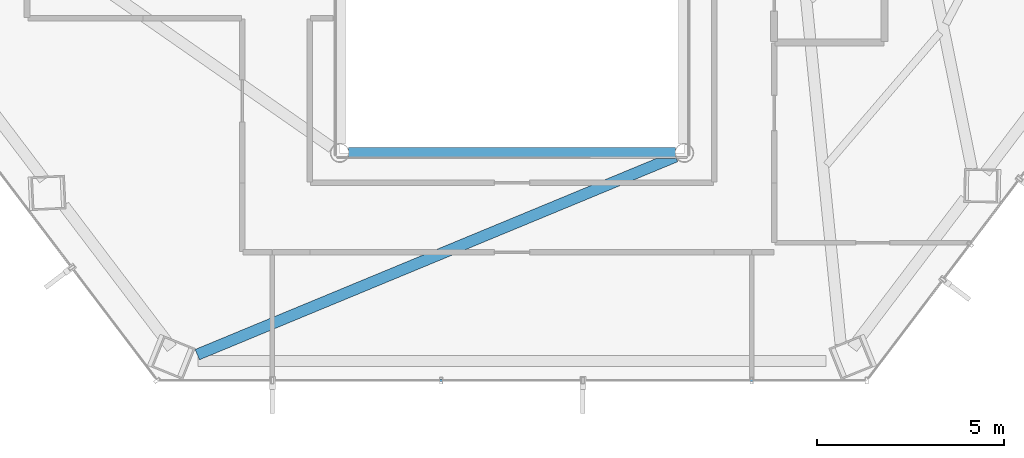
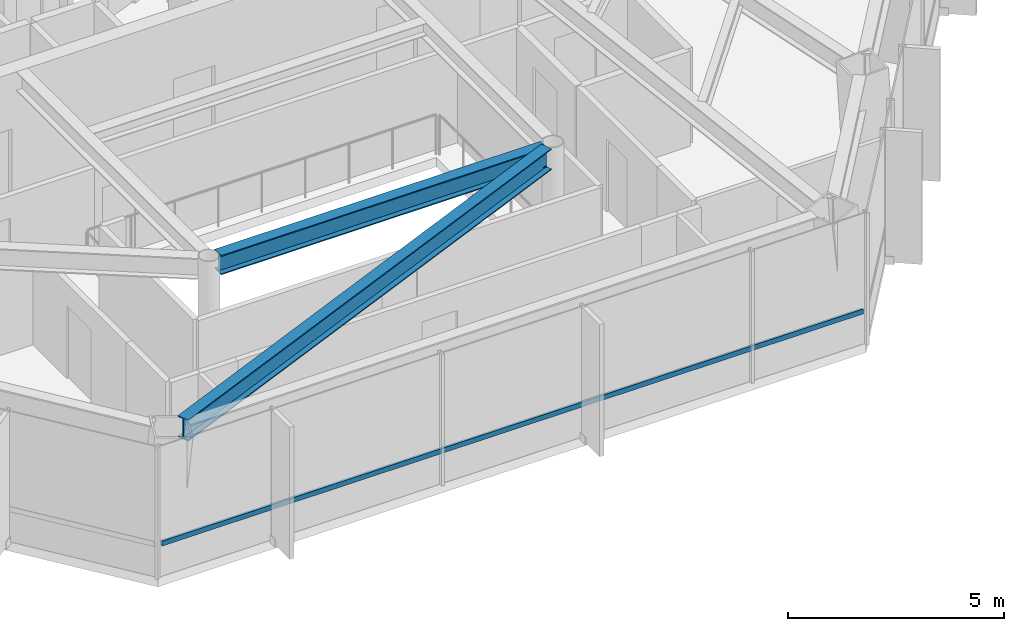
# One storey, part 7 of 25: 2 beams, 1 member, 1 element without a shape of its own.
"""IFC4 building model written with IfcOpenShell, lengths in metres."""

from ifc_helpers import new_model, si_unit, direction, frame, origin, origin_2d, place, context, subcontext, project, spatial, hollow_rectangle, i_section, extrude, material, layer, layer_set, material_profile, profile_set, type_object, element, aggregate, save


model = new_model("IFC4")

# Units and contexts
model_context = context("Model", 3, precision=1e-05, world=origin(), true_north=direction((0.0, 1.0)))
body_context = subcontext(model_context, "Body", "Model", "MODEL_VIEW")
ifc_project = project(units=[si_unit("LENGTHUNIT", "METRE"), si_unit("AREAUNIT", "SQUARE_METRE"), si_unit("VOLUMEUNIT", "CUBIC_METRE"), si_unit("PLANEANGLEUNIT", "RADIAN"), si_unit("MASSUNIT", "GRAM", prefix="KILO")], contexts=[model_context])

# Site, building, storey
site_placement = place(None, origin())
site = spatial("IfcSite", under=ifc_project, at=site_placement, CompositionType="ELEMENT")
building_placement = place(site_placement, origin())
building = spatial("IfcBuilding", under=site, at=building_placement, Name="Zarrinselat Tower", CompositionType="ELEMENT")
storey_placement = place(building_placement, frame((0.0, 0.0, 105.06005859375)))
storey = spatial("IfcBuildingStorey", under=building, at=storey_placement, Name="L25", CompositionType="ELEMENT", Elevation=105.06005859375)

# Beams
ifc_material_1 = material(Name="Steel S355J2", Category="steel")
ifc_material_profile_1 = material_profile(ifc_material_1, i_section(OverallWidth=0.300048828125, OverallDepth=0.550048828125, WebThickness=0.014892578125, FlangeThickness=0.029052734375, at=origin_2d()), Name="HEB 550")
ifc_profile_set_1 = profile_set([ifc_material_profile_1], Name="Steel S355J2")
beam_type_1 = type_object("IfcBeamType", Name="BM-HEB550", PredefinedType="BEAM", material=ifc_profile_set_1)
beam_1_placement = place(storey_placement, frame((34.0400390625, 24.39990234375, 3.454833984375), z_axis=(1.0, 0.0, 0.0), x_axis=(0.0, 1.0, 0.0)))
element("IfcBeam", 1, at=beam_1_placement, inside=storey, type_object=beam_type_1, Name="L25 Atrium Edge Beam S", PredefinedType="BEAM", context=body_context, shape_type="SweptSolid", body=[
    extrude(i_section(OverallWidth=0.300048828125, OverallDepth=0.550048828125, WebThickness=0.014892578125, FlangeThickness=0.029052734375, at=origin_2d()), origin(), (0.0, 0.0, 1.0), 8.719970703125),
])
ifc_material_2 = material(Name="Steel S355J2", Category="steel")
ifc_material_profile_2 = material_profile(ifc_material_2, i_section(OverallWidth=0.300048828125, OverallDepth=0.60009765625, WebThickness=0.015380859375, FlangeThickness=0.030029296875, at=origin_2d()), Name="HEB 600")
ifc_profile_set_2 = profile_set([ifc_material_profile_2], Name="Steel S355J2")
beam_type_2 = type_object("IfcBeamType", Name="BM-HEB600", PredefinedType="BEAM", material=ifc_profile_set_2)
beam_2_placement = place(storey_placement, frame((29.9970703125, 19.015625, 3.429931640625), z_axis=(0.923918043387, 0.382590445653, 0.0), x_axis=(-0.382590445653, 0.923918043387, 0.0)))
element("IfcBeam", 2, at=beam_2_placement, inside=storey, type_object=beam_type_2, Name="L25 Radial Primary Girder RG10", PredefinedType="BEAM", context=body_context, shape_type="SweptSolid", body=[
    extrude(i_section(OverallWidth=0.300048828125, OverallDepth=0.60009765625, WebThickness=0.015380859375, FlangeThickness=0.030029296875, at=origin_2d()), origin(), (0.0, 0.0, 1.0), 13.82373046875),
])

# Curtain wall, member
ifc_material_3 = material(Name="Extruded Aluminium Alloy EN AW-6063 T6", Category="aluminium")
ifc_layer = layer(ifc_material_3, 0.18505859375)
ifc_layer_set = layer_set([ifc_layer], Name="Extruded Aluminium Alloy EN AW-6063 T6")
curtain_wall_type = type_object("IfcCurtainWallType", Name="CWS-OFF", PredefinedType="NOTDEFINED", material=ifc_layer_set)
curtain_wall_placement = place(storey_placement, origin())
curtain_wall = element("IfcCurtainWall", 3, at=curtain_wall_placement, inside=storey, type_object=curtain_wall_type, Name="L25 Unitised Curtain Wall CW-L25-E04", PredefinedType="NOTDEFINED")
ifc_material_4 = material(Name="Extruded Aluminium Alloy EN AW-6063 T6", Category="aluminium")
ifc_material_profile_3 = material_profile(ifc_material_4, hollow_rectangle(XDim=0.06005859375, YDim=0.139892578125, WallThickness=0.00390625, at=origin_2d()), Name="RHS 140x60x4")
ifc_profile_set_3 = profile_set([ifc_material_profile_3], Name="Extruded Aluminium Alloy EN AW-6063 T6")
member_type = type_object("IfcMemberType", Name="MEM-CW-TRN", PredefinedType="USERDEFINED", material=ifc_profile_set_3)
member_placement = place(storey_placement, frame((29.01611328125, 18.32568359375, 0.949951171875), z_axis=(1.0, 0.0, 0.0), x_axis=(0.0, 1.0, 0.0)))
member = element("IfcMember", 4, at=member_placement, type_object=member_type, Name="CW-L25-E04 Transom 1", ObjectType="TRANSOM", PredefinedType="USERDEFINED", context=body_context, shape_type="SweptSolid", body=[
    extrude(hollow_rectangle(XDim=0.06005859375, YDim=0.139892578125, WallThickness=0.00390625, at=origin_2d()), origin(), (0.0, 0.0, 1.0), 18.767822265625),
])
aggregate(curtain_wall, [member])

save(model, "model.ifc")
